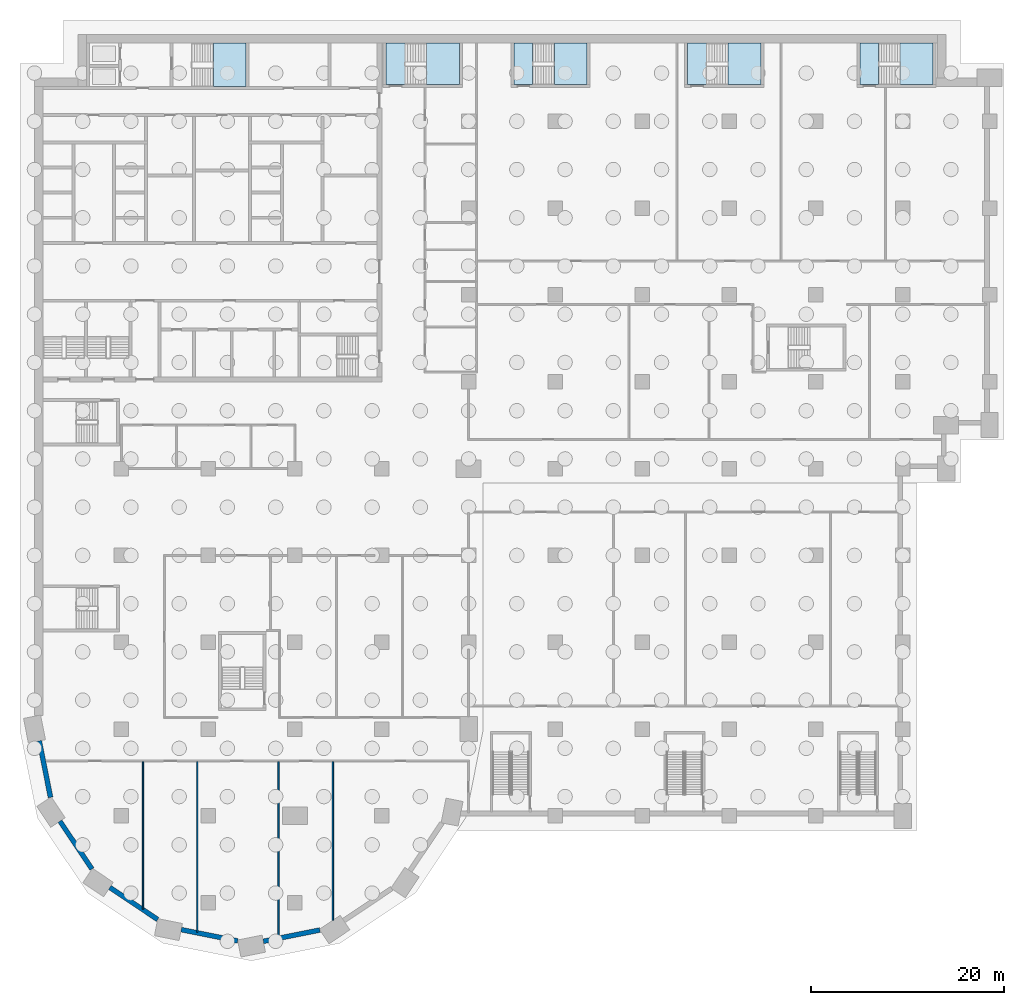
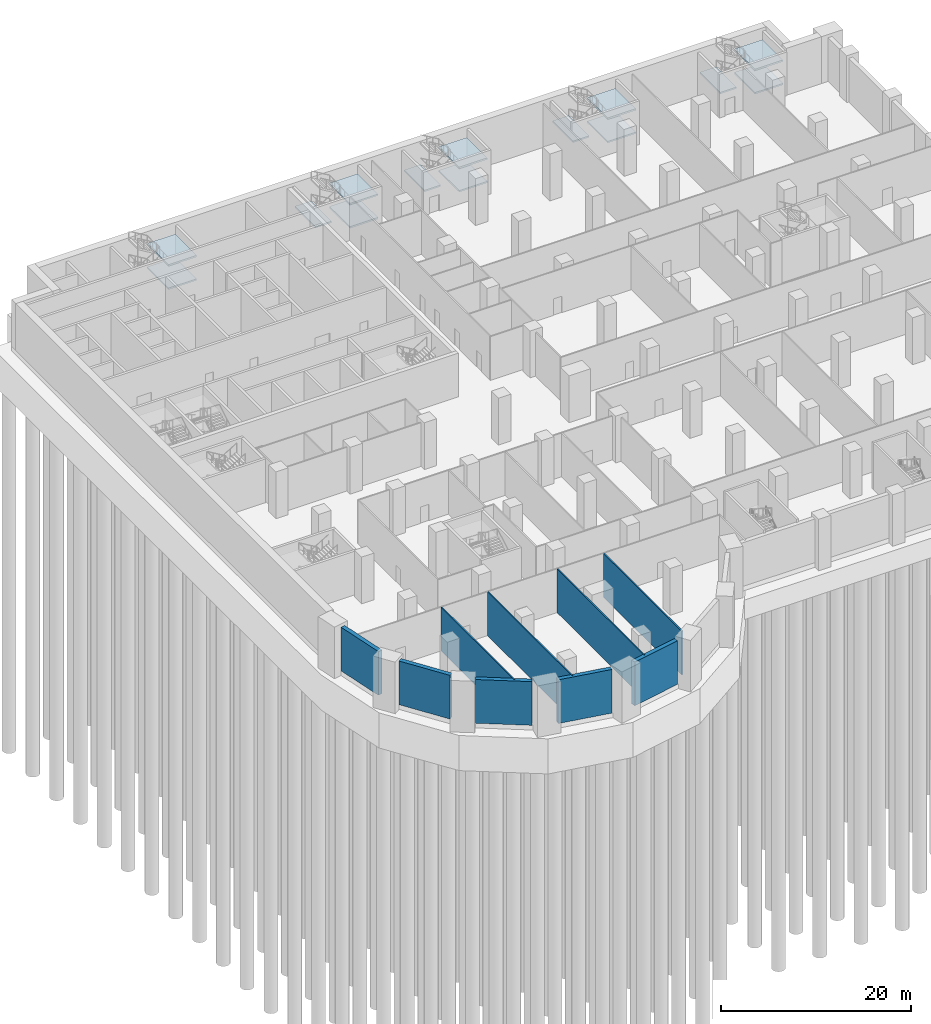
# One storey, part 3 of 25: 14 slabs, 9 walls, 5 elements without a shape of their own.
"""IFC4 building model written with IfcOpenShell, lengths in metres."""

from ifc_helpers import new_model, si_unit, direction, frame, frame_2d, origin, place, context, subcontext, project, spatial, polyline, rectangle, outline, extrude, material, layer, layer_set, type_object, element, aggregate, save


model = new_model("IFC4")

# Units and contexts
model_context = context("Model", 3, precision=1e-05, world=origin(), true_north=direction((0.0, 1.0)))
body_context = subcontext(model_context, "Body", "Model", "MODEL_VIEW")
ifc_project = project(units=[si_unit("LENGTHUNIT", "METRE"), si_unit("AREAUNIT", "SQUARE_METRE"), si_unit("VOLUMEUNIT", "CUBIC_METRE"), si_unit("PLANEANGLEUNIT", "RADIAN"), si_unit("MASSUNIT", "GRAM", prefix="KILO")], contexts=[model_context])

# Site, building, storey
site_placement = place(None, origin())
site = spatial("IfcSite", under=ifc_project, at=site_placement, CompositionType="ELEMENT")
building_placement = place(site_placement, origin())
building = spatial("IfcBuilding", under=site, at=building_placement, Name="Hunhe Ridgeline Campus", CompositionType="ELEMENT")
storey_placement = place(building_placement, frame((0.0, 0.0, -6.0)))
storey = spatial("IfcBuildingStorey", under=building, at=storey_placement, Name="B1", CompositionType="ELEMENT", Elevation=-6.0)

# Stair, slabs
ifc_material_1 = material(Name="Concrete C40", Category="concrete")
stair_type = type_object("IfcStairType", Name="Reinforced concrete dog-leg stair 1950 Concrete C40", PredefinedType="HALF_TURN_STAIR", material=ifc_material_1)
stair_1_placement = place(storey_placement, origin())
stair_1 = element("IfcStair", 1, at=stair_1_placement, inside=storey, type_object=stair_type, Name="B1 S1", PredefinedType="HALF_TURN_STAIR")
ifc_layer_1 = layer(ifc_material_1, 0.199951171875)
ifc_layer_set_1 = layer_set([ifc_layer_1], Name="Reinforced concrete stair landing 200 Concrete C40")
slab_type = type_object("IfcSlabType", Name="Reinforced concrete stair landing 200 Concrete C40", PredefinedType="LANDING", material=ifc_layer_set_1)
slab_1_placement = place(storey_placement, frame((0.0, 0.0, 1.300048828125)))
slab_1 = element("IfcSlab", 2, at=slab_1_placement, type_object=slab_type, Name="ST1 landing 1", PredefinedType="LANDING", context=body_context, shape_type="SweptSolid", body=[
    extrude(outline(polyline([(18.5400390625, 93.60009765625), (21.949951171875, 93.60009765625), (21.949951171875, 98.10009765625), (18.5400390625, 98.10009765625), (18.5400390625, 93.60009765625)])), origin(), (0.0, 0.0, 1.0), 0.199951171875),
])
slab_2_placement = place(storey_placement, frame((0.0, 0.0, 4.300048828125)))
slab_2 = element("IfcSlab", 3, at=slab_2_placement, type_object=slab_type, Name="ST1 landing 3", PredefinedType="LANDING", context=body_context, shape_type="SweptSolid", body=[
    extrude(outline(polyline([(18.5400390625, 93.60009765625), (21.949951171875, 93.60009765625), (21.949951171875, 98.10009765625), (18.5400390625, 98.10009765625), (18.5400390625, 93.60009765625)])), origin(), (0.0, 0.0, 1.0), 0.199951171875),
])
aggregate(stair_1, [slab_1, slab_2])

stair_2_placement = place(storey_placement, origin())
stair_2 = element("IfcStair", 4, at=stair_2_placement, inside=storey, type_object=stair_type, Name="B1 E1", PredefinedType="HALF_TURN_STAIR")
slab_3_placement = place(storey_placement, frame((0.0, 0.0, 1.300048828125)))
slab_3 = element("IfcSlab", 5, at=slab_3_placement, type_object=slab_type, Name="ST5 landing 1", PredefinedType="LANDING", context=body_context, shape_type="SweptSolid", body=[
    extrude(outline(polyline([(40.639892578125, 93.800048828125), (44.050048828125, 93.800048828125), (44.050048828125, 98.10009765625), (40.639892578125, 98.10009765625), (40.639892578125, 93.800048828125)])), origin(), (0.0, 0.0, 1.0), 0.199951171875),
])
slab_4_placement = place(storey_placement, frame((0.0, 0.0, 2.800048828125)))
slab_4 = element("IfcSlab", 6, at=slab_4_placement, type_object=slab_type, Name="ST5 landing 2", PredefinedType="LANDING", context=body_context, shape_type="SweptSolid", body=[
    extrude(outline(polyline([(36.449951171875, 93.800048828125), (38.39990234375, 93.800048828125), (38.39990234375, 98.10009765625), (36.449951171875, 98.10009765625), (36.449951171875, 93.800048828125)])), origin(), (0.0, 0.0, 1.0), 0.199951171875),
])
slab_5_placement = place(storey_placement, frame((0.0, 0.0, 4.300048828125)))
slab_5 = element("IfcSlab", 7, at=slab_5_placement, type_object=slab_type, Name="ST5 landing 3", PredefinedType="LANDING", context=body_context, shape_type="SweptSolid", body=[
    extrude(outline(polyline([(40.639892578125, 93.800048828125), (44.050048828125, 93.800048828125), (44.050048828125, 98.10009765625), (40.639892578125, 98.10009765625), (40.639892578125, 93.800048828125)])), origin(), (0.0, 0.0, 1.0), 0.199951171875),
])
aggregate(stair_2, [slab_3, slab_4, slab_5])

stair_3_placement = place(storey_placement, origin())
stair_3 = element("IfcStair", 8, at=stair_3_placement, inside=storey, type_object=stair_type, Name="B1 E2", PredefinedType="HALF_TURN_STAIR")
slab_6_placement = place(storey_placement, frame((0.0, 0.0, 1.300048828125)))
slab_6 = element("IfcSlab", 9, at=slab_6_placement, type_object=slab_type, Name="ST6 landing 1", PredefinedType="LANDING", context=body_context, shape_type="SweptSolid", body=[
    extrude(outline(polyline([(53.889892578125, 93.800048828125), (57.300048828125, 93.800048828125), (57.300048828125, 98.10009765625), (53.889892578125, 98.10009765625), (53.889892578125, 93.800048828125)])), origin(), (0.0, 0.0, 1.0), 0.199951171875),
])
slab_7_placement = place(storey_placement, frame((0.0, 0.0, 2.800048828125)))
slab_7 = element("IfcSlab", 10, at=slab_7_placement, type_object=slab_type, Name="ST6 landing 2", PredefinedType="LANDING", context=body_context, shape_type="SweptSolid", body=[
    extrude(outline(polyline([(49.699951171875, 93.800048828125), (51.64990234375, 93.800048828125), (51.64990234375, 98.10009765625), (49.699951171875, 98.10009765625), (49.699951171875, 93.800048828125)])), origin(), (0.0, 0.0, 1.0), 0.199951171875),
])
slab_8_placement = place(storey_placement, frame((0.0, 0.0, 4.300048828125)))
slab_8 = element("IfcSlab", 11, at=slab_8_placement, type_object=slab_type, Name="ST6 landing 3", PredefinedType="LANDING", context=body_context, shape_type="SweptSolid", body=[
    extrude(outline(polyline([(53.889892578125, 93.800048828125), (57.300048828125, 93.800048828125), (57.300048828125, 98.10009765625), (53.889892578125, 98.10009765625), (53.889892578125, 93.800048828125)])), origin(), (0.0, 0.0, 1.0), 0.199951171875),
])
aggregate(stair_3, [slab_6, slab_7, slab_8])

stair_4_placement = place(storey_placement, origin())
stair_4 = element("IfcStair", 12, at=stair_4_placement, inside=storey, type_object=stair_type, Name="B1 E3", PredefinedType="HALF_TURN_STAIR")
slab_9_placement = place(storey_placement, frame((0.0, 0.0, 1.300048828125)))
slab_9 = element("IfcSlab", 13, at=slab_9_placement, type_object=slab_type, Name="ST7 landing 1", PredefinedType="LANDING", context=body_context, shape_type="SweptSolid", body=[
    extrude(outline(polyline([(71.889892578125, 93.800048828125), (75.300048828125, 93.800048828125), (75.300048828125, 98.10009765625), (71.889892578125, 98.10009765625), (71.889892578125, 93.800048828125)])), origin(), (0.0, 0.0, 1.0), 0.199951171875),
])
slab_10_placement = place(storey_placement, frame((0.0, 0.0, 2.800048828125)))
slab_10 = element("IfcSlab", 14, at=slab_10_placement, type_object=slab_type, Name="ST7 landing 2", PredefinedType="LANDING", context=body_context, shape_type="SweptSolid", body=[
    extrude(outline(polyline([(67.699951171875, 93.800048828125), (69.64990234375, 93.800048828125), (69.64990234375, 98.10009765625), (67.699951171875, 98.10009765625), (67.699951171875, 93.800048828125)])), origin(), (0.0, 0.0, 1.0), 0.199951171875),
])
slab_11_placement = place(storey_placement, frame((0.0, 0.0, 4.300048828125)))
slab_11 = element("IfcSlab", 15, at=slab_11_placement, type_object=slab_type, Name="ST7 landing 3", PredefinedType="LANDING", context=body_context, shape_type="SweptSolid", body=[
    extrude(outline(polyline([(71.889892578125, 93.800048828125), (75.300048828125, 93.800048828125), (75.300048828125, 98.10009765625), (71.889892578125, 98.10009765625), (71.889892578125, 93.800048828125)])), origin(), (0.0, 0.0, 1.0), 0.199951171875),
])
aggregate(stair_4, [slab_9, slab_10, slab_11])

stair_5_placement = place(storey_placement, origin())
stair_5 = element("IfcStair", 16, at=stair_5_placement, inside=storey, type_object=stair_type, Name="B1 E4", PredefinedType="HALF_TURN_STAIR")
slab_12_placement = place(storey_placement, frame((0.0, 0.0, 1.300048828125)))
slab_12 = element("IfcSlab", 17, at=slab_12_placement, type_object=slab_type, Name="ST8 landing 1", PredefinedType="LANDING", context=body_context, shape_type="SweptSolid", body=[
    extrude(outline(polyline([(89.739990234375, 93.800048828125), (93.14990234375, 93.800048828125), (93.14990234375, 98.10009765625), (89.739990234375, 98.10009765625), (89.739990234375, 93.800048828125)])), origin(), (0.0, 0.0, 1.0), 0.199951171875),
])
slab_13_placement = place(storey_placement, frame((0.0, 0.0, 2.800048828125)))
slab_13 = element("IfcSlab", 18, at=slab_13_placement, type_object=slab_type, Name="ST8 landing 2", PredefinedType="LANDING", context=body_context, shape_type="SweptSolid", body=[
    extrude(outline(polyline([(85.550048828125, 93.800048828125), (87.5, 93.800048828125), (87.5, 98.10009765625), (85.550048828125, 98.10009765625), (85.550048828125, 93.800048828125)])), origin(), (0.0, 0.0, 1.0), 0.199951171875),
])
slab_14_placement = place(storey_placement, frame((0.0, 0.0, 4.300048828125)))
slab_14 = element("IfcSlab", 19, at=slab_14_placement, type_object=slab_type, Name="ST8 landing 3", PredefinedType="LANDING", context=body_context, shape_type="SweptSolid", body=[
    extrude(outline(polyline([(89.739990234375, 93.800048828125), (93.14990234375, 93.800048828125), (93.14990234375, 98.10009765625), (89.739990234375, 98.10009765625), (89.739990234375, 93.800048828125)])), origin(), (0.0, 0.0, 1.0), 0.199951171875),
])
aggregate(stair_5, [slab_12, slab_13, slab_14])

# Walls
ifc_material_2 = material(Name="Concrete C50", Category="concrete")
ifc_layer_2 = layer(ifc_material_2, 0.5)
ifc_layer_set_2 = layer_set([ifc_layer_2], Name="Basement perimeter wall 500 C50")
wall_type_1 = type_object("IfcWallType", Name="Basement perimeter wall 500 C50", PredefinedType="SOLIDWALL", material=ifc_layer_set_2)
wall_1_placement = place(storey_placement, frame((0.498779296875, 25.773681640625, 0.0), z_axis=(0.0, 0.0, 1.0), x_axis=(0.19507765837, -0.980787799274, 0.0)))
element("IfcWall", 20, at=wall_1_placement, inside=storey, type_object=wall_type_1, Name="Basement perimeter wall", PredefinedType="SOLIDWALL", context=body_context, shape_type="SweptSolid", body=[
    extrude(rectangle(XDim=5.968505859375, YDim=0.5, at=frame_2d((2.984375, 0.0))), origin(), (0.0, 0.0, 1.0), 5.60009765625),
])
for number, where, z_axis, x_axis, name in (
    (21, (2.642822265625, 17.447509765625, 0.0), (0.0, 0.0, 1.0), (0.555587229417, -0.831458255421, 0.0), "Basement perimeter wall"),
    (22, (7.809814453125, 10.57568359375, 0.0), (0.0, 0.0, 1.0), (0.831489777014, -0.555540053211, 0.0), "Basement perimeter wall"),
):
    element("IfcWall", number, at=place(storey_placement, frame(where, z_axis=z_axis, x_axis=x_axis)), inside=storey, type_object=wall_type_1, Name=name, PredefinedType="SOLIDWALL", context=body_context, shape_type="SweptSolid", body=[
        extrude(rectangle(XDim=5.96826171875, YDim=0.5, at=frame_2d((2.984130859375, 0.0))), origin(), (0.0, 0.0, 1.0), 5.60009765625),
    ])
for number, where, z_axis, x_axis, name in (
    (23, (15.21337890625, 6.204345703125, 0.0), (0.0, 0.0, 1.0), (0.980779972134, -0.195117006593, 0.0), "Basement perimeter wall"),
    (24, (23.726318359375, 4.998779296875, 0.0), (0.0, 0.0, 1.0), (0.980787799274, 0.19507765837, 0.0), "Basement perimeter wall"),
):
    element("IfcWall", number, at=place(storey_placement, frame(where, z_axis=z_axis, x_axis=x_axis)), inside=storey, type_object=wall_type_1, Name=name, PredefinedType="SOLIDWALL", context=body_context, shape_type="SweptSolid", body=[
        extrude(rectangle(XDim=5.968505859375, YDim=0.5, at=frame_2d((2.984375, 0.0))), origin(), (0.0, 0.0, 1.0), 5.60009765625),
    ])
ifc_material_3 = material(Name="Plastered blockwork", Category="masonry")
ifc_layer_3 = layer(ifc_material_3, 0.14990234375)
ifc_layer_set_3 = layer_set([ifc_layer_3], Name="Blockwork partition 150")
wall_type_2 = type_object("IfcWallType", Name="Blockwork partition 150", PredefinedType="PARTITIONING", material=ifc_layer_set_3)
wall_2_placement = place(storey_placement, frame((11.25, 8.33740234375, 0.0), z_axis=(0.0, 0.0, 1.0), x_axis=(0.0, 1.0, 0.0)))
element("IfcWall", 25, at=wall_2_placement, inside=storey, type_object=wall_type_2, Name="B1 partition", PredefinedType="PARTITIONING", context=body_context, shape_type="SweptSolid", body=[
    extrude(rectangle(XDim=15.28759765625, YDim=0.14990234375, at=frame_2d((7.643798828125, 0.0))), origin(), (0.0, 0.0, 1.0), 5.60009765625),
])
wall_3_placement = place(storey_placement, frame((16.875, 5.9248046875, 0.0), z_axis=(0.0, 0.0, 1.0), x_axis=(0.0, 1.0, 0.0)))
element("IfcWall", 26, at=wall_3_placement, inside=storey, type_object=wall_type_2, Name="B1 partition", PredefinedType="PARTITIONING", context=body_context, shape_type="SweptSolid", body=[
    extrude(rectangle(XDim=17.7001953125, YDim=0.14990234375, at=frame_2d((8.85009765625, 0.0))), origin(), (0.0, 0.0, 1.0), 5.60009765625),
])
wall_4_placement = place(storey_placement, frame((25.31201171875, 5.365234375, 0.0), z_axis=(0.0, 0.0, 1.0), x_axis=(0.0, 1.0, 0.0)))
element("IfcWall", 27, at=wall_4_placement, inside=storey, type_object=wall_type_2, Name="B1 partition", PredefinedType="PARTITIONING", context=body_context, shape_type="SweptSolid", body=[
    extrude(rectangle(XDim=18.259765625, YDim=0.14990234375, at=frame_2d((9.1298828125, 0.0))), origin(), (0.0, 0.0, 1.0), 5.60009765625),
])
wall_5_placement = place(storey_placement, frame((30.93798828125, 7.179931640625, 0.0), z_axis=(0.0, 0.0, 1.0), x_axis=(0.0, 1.0, 0.0)))
element("IfcWall", 28, at=wall_5_placement, inside=storey, type_object=wall_type_2, Name="B1 partition", PredefinedType="PARTITIONING", context=body_context, shape_type="SweptSolid", body=[
    extrude(rectangle(XDim=16.445068359375, YDim=0.14990234375, at=frame_2d((8.22265625, 0.0))), origin(), (0.0, 0.0, 1.0), 5.60009765625),
])

save(model, "model.ifc")
